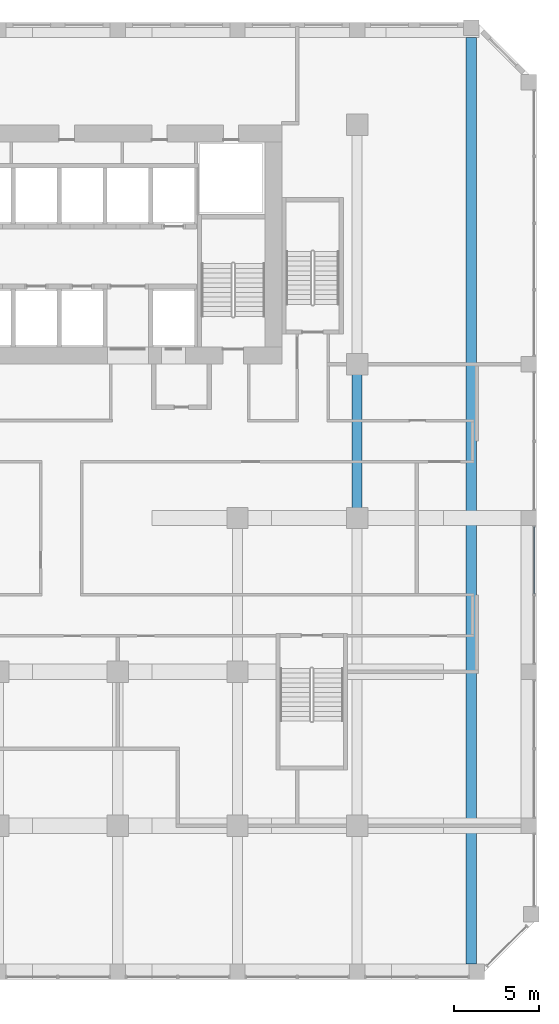
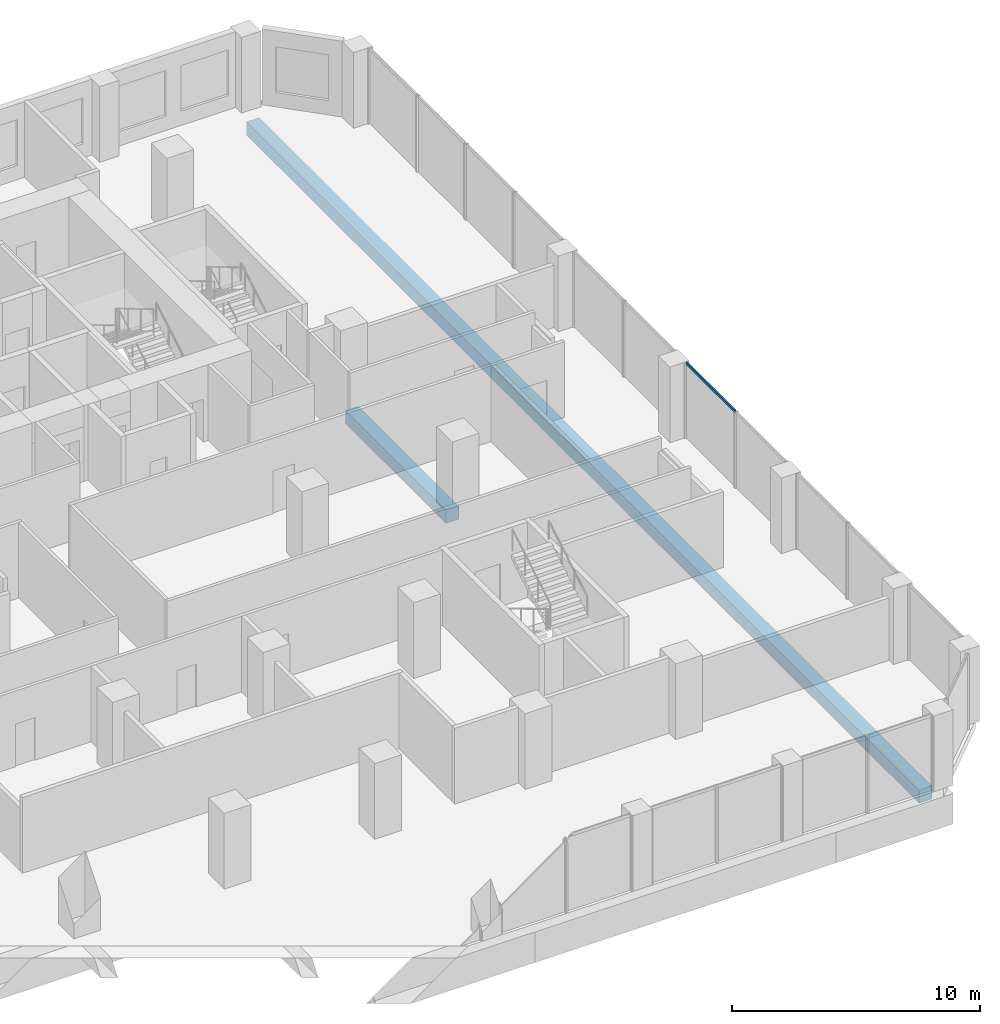
# One storey, part 7 of 20: 2 beams, 1 member, 1 element without a shape of its own.
"""IFC4 building model written with IfcOpenShell, lengths in metres."""

import ifcopenshell
import ifcopenshell.guid

model = None  # the IFC model being written
_history = None  # IfcOwnerHistory: only IFC2X3 demands one
_inside = {}  # id of a spatial element -> (the spatial element, [elements in it])
_under = {}  # id of a project, library or spatial element -> (it, [spatial elements below it])
_declared = {}  # id of a project -> (the project, [libraries it declares])
_typed = {}  # id of a type object -> (the type object, [elements of that type])
_made_of = {}  # id of a material, layer set ... -> (it, [elements and type objects made of it])


def new_model(schema):
    """Start an empty IFC model of exactly this schema.

    Asked for "IFC4X3", IfcOpenShell would pick the latest addendum, in which some entities
    have other attributes; the version numbers below select the first issue.
    IFC2X3 requires an IfcOwnerHistory on every rooted entity: one is made here for all.
    """
    global model, _history
    if schema == "IFC4X3":
        model = ifcopenshell.file(schema_version=(4, 3, 0, 0))
    else:
        model = ifcopenshell.file(schema=schema)
    _inside.clear()
    _under.clear()
    _declared.clear()
    _typed.clear()
    _made_of.clear()
    _history = None
    if model.schema == "IFC2X3":
        org = make("IfcOrganization", Name="unknown")
        user = make(
            "IfcPersonAndOrganization",
            ThePerson=make("IfcPerson", FamilyName="unknown"),
            TheOrganization=org,
        )
        app = make(
            "IfcApplication",
            ApplicationDeveloper=org,
            Version="unknown",
            ApplicationFullName="unknown",
            ApplicationIdentifier="unknown",
        )
        _history = make(
            "IfcOwnerHistory",
            OwningUser=user,
            OwningApplication=app,
            ChangeAction="ADDED",
            CreationDate=0,
        )
    return model


def make(cls, **values):
    """One entity of the class cls with the attributes given. An attribute that is None is left unset."""
    return model.create_entity(
        cls, **{name: value for name, value in values.items() if value is not None}
    )


def rooted(cls, **values):
    """An entity with a GlobalId (a new one), such as an element, a storey or a relation."""
    return make(cls, GlobalId=ifcopenshell.guid.new(), OwnerHistory=_history, **values)


def si_unit(unit_type, name, prefix=None):
    """IfcSIUnit, for example si_unit("LENGTHUNIT", "METRE", prefix="MILLI")."""
    return make("IfcSIUnit", UnitType=unit_type, Prefix=prefix, Name=name)


def assignment(units):
    """IfcUnitAssignment: the units of a project."""
    return None if units is None else make("IfcUnitAssignment", Units=units)


def point(xyz):
    """IfcCartesianPoint."""
    return None if xyz is None else make("IfcCartesianPoint", Coordinates=xyz)


def direction(xyz):
    """IfcDirection."""
    return None if xyz is None else make("IfcDirection", DirectionRatios=xyz)


def frame(location, z_axis=None, x_axis=None):
    """IfcAxis2Placement3D, a coordinate frame: its origin and axes. An axis left out is left unset."""
    return make(
        "IfcAxis2Placement3D",
        Location=point(location),
        Axis=direction(z_axis),
        RefDirection=direction(x_axis),
    )


def frame_2d(location, x_axis=None):
    """IfcAxis2Placement2D, a coordinate frame in the plane: its origin and x axis."""
    return make(
        "IfcAxis2Placement2D", Location=point(location), RefDirection=direction(x_axis)
    )


def origin():
    """The frame at (0, 0, 0) with its axes left unset."""
    return frame((0.0, 0.0, 0.0))


def origin_2d():
    """The frame at (0, 0) in the plane with its x axis left unset."""
    return frame_2d((0.0, 0.0))


def place(relative_to, where):
    """IfcLocalPlacement: puts the frame where relative to a parent placement (None: the world)."""
    return make(
        "IfcLocalPlacement", PlacementRelTo=relative_to, RelativePlacement=where
    )


def context(
    kind, dimensions, precision=None, world=None, true_north=None, identifier=None
):
    """IfcGeometricRepresentationContext, for example the 3D "Model" context."""
    return make(
        "IfcGeometricRepresentationContext",
        ContextIdentifier=identifier,
        ContextType=kind,
        CoordinateSpaceDimension=dimensions,
        Precision=precision,
        WorldCoordinateSystem=world,
        TrueNorth=true_north,
    )


def subcontext(parent, identifier, kind, view, scale=None):
    """IfcGeometricRepresentationSubContext, for example "Body" below "Model"."""
    return make(
        "IfcGeometricRepresentationSubContext",
        ContextIdentifier=identifier,
        ContextType=kind,
        ParentContext=parent,
        TargetScale=scale,
        TargetView=view,
    )


def project(units=None, contexts=None):
    """IfcProject with its units and contexts."""
    return rooted(
        "IfcProject",
        Name="project",
        RepresentationContexts=contexts,
        UnitsInContext=assignment(units),
    )


def spatial(cls, under=None, at=None, **own):
    """A site, building, storey or space (cls), placed at a placement, below another one or the project."""
    s = rooted(cls, ObjectPlacement=at, **own)
    if under is not None:
        _under.setdefault(under.id(), (under, []))[1].append(s)
    return s


def profile(cls, at=None, kind="AREA", **sizes):
    """A parametric profile (cls). Its sizes go by their IFC names, for example OverallWidth=200.0."""
    return make(cls, ProfileType=kind, Position=at, **sizes)


def rectangle(**sizes):
    """IfcRectangleProfileDef."""
    return profile("IfcRectangleProfileDef", **sizes)


def extrude(swept, where, along, depth):
    """IfcExtrudedAreaSolid: the profile swept, set in the frame where, extruded along a direction by depth."""
    return make(
        "IfcExtrudedAreaSolid",
        SweptArea=swept,
        Position=where,
        ExtrudedDirection=direction(along),
        Depth=depth,
    )


def shape(context_of_items, identifier, shape_type, items):
    """IfcShapeRepresentation: the items that make up one representation, for example the "Body"."""
    return make(
        "IfcShapeRepresentation",
        ContextOfItems=context_of_items,
        RepresentationIdentifier=identifier,
        RepresentationType=shape_type,
        Items=items,
    )


def source(mapping_origin, context_of_items, identifier, shape_type, items):
    """IfcRepresentationMap: a shape defined once, which mapped items show again and again."""
    return make(
        "IfcRepresentationMap",
        MappingOrigin=mapping_origin,
        MappedRepresentation=shape(context_of_items, identifier, shape_type, items),
    )


def transform(
    local_origin,
    x_axis=None,
    y_axis=None,
    z_axis=None,
    scale=None,
    scale2=None,
    scale3=None,
    uniform=True,
):
    """IfcCartesianTransformationOperator3D, or its non-uniform kind. x_axis, y_axis, z_axis: its Axis1, 2, 3."""
    if uniform:
        return make(
            "IfcCartesianTransformationOperator3D",
            Axis1=direction(x_axis),
            Axis2=direction(y_axis),
            LocalOrigin=point(local_origin),
            Scale=scale,
            Axis3=direction(z_axis),
        )
    return make(
        "IfcCartesianTransformationOperator3DnonUniform",
        Axis1=direction(x_axis),
        Axis2=direction(y_axis),
        LocalOrigin=point(local_origin),
        Scale=scale,
        Axis3=direction(z_axis),
        Scale2=scale2,
        Scale3=scale3,
    )


def mapped(mapping_source, mapping_target):
    """IfcMappedItem: shows the shape of a source again, moved by a transform."""
    return make(
        "IfcMappedItem", MappingSource=mapping_source, MappingTarget=mapping_target
    )


def material(Name=None, Category=None):
    """IfcMaterial."""
    return make("IfcMaterial", Name=Name, Category=Category)


def material_profile(
    of_material, cross_section, Name=None, Category=None, Priority=None
):
    """IfcMaterialProfile: a cross section and its material."""
    return make(
        "IfcMaterialProfile",
        Name=Name,
        Material=of_material,
        Profile=cross_section,
        Priority=Priority,
        Category=Category,
    )


def profile_set(profiles, Name=None, composite=None):
    """IfcMaterialProfileSet."""
    return make(
        "IfcMaterialProfileSet",
        Name=Name,
        MaterialProfiles=profiles,
        CompositeProfile=composite,
    )


def made_of(thing, what):
    """Note that an element or type object is made of a material, layer set ...; save() writes the relation."""
    if what is not None:
        _made_of.setdefault(what.id(), (what, []))[1].append(thing)
    return thing


def type_object(cls, material=None, **own):
    """A type object (cls), such as IfcWallType, which elements share."""
    return made_of(rooted(cls, **own), material)


def element(
    cls,
    number,
    at=None,
    inside=None,
    cuts=None,
    type_object=None,
    material=None,
    context=None,
    identifier="Body",
    shape_type=None,
    held_by="IfcProductDefinitionShape",
    body=None,
    shapes=None,
    **own,
):
    """One element of the class cls, such as IfcWall. Its Tag is "e" and its number.

    at: its placement. inside: the storey or other place that contains it. cuts: it is an
    opening in that element (IfcRelVoidsElement). A single representation is given by context,
    identifier, shape_type and body (its items); several are given by shapes. held_by: the class
    of the entity that holds the representations. save() writes the other relations.
    """
    e = rooted(cls, Tag="e%d" % number, ObjectPlacement=at, **own)
    if body is not None:
        shapes = [shape(context, identifier, shape_type, body)]
    if shapes is not None:
        e.Representation = make(held_by, Representations=shapes)
    if inside is not None:
        _inside.setdefault(inside.id(), (inside, []))[1].append(e)
    if cuts is not None:
        rooted(
            "IfcRelVoidsElement", RelatingBuildingElement=cuts, RelatedOpeningElement=e
        )
    if type_object is not None:
        _typed.setdefault(type_object.id(), (type_object, []))[1].append(e)
    return made_of(e, material)


def aggregate(whole, parts):
    """IfcRelAggregates: a whole, such as a stair, and the parts it consists of."""
    return rooted("IfcRelAggregates", RelatingObject=whole, RelatedObjects=parts)


def save(model, path):
    """Write the relations noted so far, then the file.

    IfcRelAggregates (storeys below a building ...), IfcRelContainedInSpatialStructure (elements
    in a storey), IfcRelDefinesByType, IfcRelAssociatesMaterial and IfcRelDeclares: one each for
    every whole, place, type object, material and project.
    """
    for whole, parts in _under.values():
        aggregate(whole, parts)
    for where, things in _inside.values():
        rooted(
            "IfcRelContainedInSpatialStructure",
            RelatedElements=things,
            RelatingStructure=where,
        )
    for kind, things in _typed.values():
        rooted("IfcRelDefinesByType", RelatedObjects=things, RelatingType=kind)
    for what, things in _made_of.values():
        rooted("IfcRelAssociatesMaterial", RelatedObjects=things, RelatingMaterial=what)
    for by, libraries in _declared.values():
        rooted("IfcRelDeclares", RelatingContext=by, RelatedDefinitions=libraries)
    model.write(path)


model = new_model("IFC4")

# Units and contexts
model_context = context("Model", 3, precision=1e-05, world=origin(), true_north=direction((0.0, 1.0)))
body_context = subcontext(model_context, "Body", "Model", "MODEL_VIEW")
ifc_project = project(units=[si_unit("LENGTHUNIT", "METRE"), si_unit("AREAUNIT", "SQUARE_METRE"), si_unit("VOLUMEUNIT", "CUBIC_METRE"), si_unit("PLANEANGLEUNIT", "RADIAN"), si_unit("MASSUNIT", "GRAM", prefix="KILO")], contexts=[model_context])

# Site, building, storey
site_placement = place(None, origin())
site = spatial("IfcSite", under=ifc_project, at=site_placement, CompositionType="ELEMENT")
building_placement = place(site_placement, origin())
building = spatial("IfcBuilding", under=site, at=building_placement, Name="Kilnfold Tower and Market Hall", CompositionType="ELEMENT")
storey_placement = place(building_placement, frame((0.0, 0.0, 63.199951171875)))
storey = spatial("IfcBuildingStorey", under=building, at=storey_placement, Name="L14", CompositionType="ELEMENT", Elevation=63.199951171875)

# Beams
ifc_material_1 = material(Name="Concrete C45", Category="concrete")
ifc_material_profile_1 = material_profile(ifc_material_1, rectangle(XDim=0.60009765625, YDim=0.64990234375, at=origin_2d()), Name="RC 600x650")
ifc_profile_set_1 = profile_set([ifc_material_profile_1], Name="Concrete C45")
beam_type = type_object("IfcBeamType", Name="BEAM 600X650 C45", PredefinedType="BEAM", material=ifc_profile_set_1)
shared_shape_1 = source(origin(), body_context, "Body", "SweptSolid", [
    extrude(rectangle(XDim=0.60009765625, YDim=0.64990234375, at=origin_2d()), origin(), (0.0, 0.0, 1.0), 54.2001953125),
])
beam_1_placement = place(storey_placement, frame((29.179931640625, -27.10009765625, -0.724853515625), z_axis=(0.0, 1.0, 0.0), x_axis=(-1.0, 0.0, 0.0)))
element("IfcBeam", 1, at=beam_1_placement, inside=storey, type_object=beam_type, Name="Beam BB650-B2.59", PredefinedType="BEAM", context=body_context, shape_type="MappedRepresentation", body=[
    mapped(shared_shape_1, transform((0.0, 0.0, 0.0))),
])
shared_shape_2 = source(origin(), body_context, "Body", "SweptSolid", [
    extrude(rectangle(XDim=0.60009765625, YDim=0.64990234375, at=origin_2d()), origin(), (0.0, 0.0, 1.0), 8.10009765625),
])
beam_2_placement = place(storey_placement, frame((22.5, -0.550048828125, -0.724853515625), z_axis=(0.0, 1.0, 0.0), x_axis=(-1.0, 0.0, 0.0)))
element("IfcBeam", 2, at=beam_2_placement, inside=storey, type_object=beam_type, Name="Beam BB650-B2.57", PredefinedType="BEAM", context=body_context, shape_type="MappedRepresentation", body=[
    mapped(shared_shape_2, transform((0.0, 0.0, 0.0))),
])

# Curtain wall, member
ifc_material_2 = material(Name="Aluminium and double glazing", Category="aluminium")
curtain_wall_type = type_object("IfcCurtainWallType", Name="CW OF1 VALLEY GLAZING", PredefinedType="NOTDEFINED", material=ifc_material_2)
curtain_wall_placement = place(storey_placement, origin())
curtain_wall = element("IfcCurtainWall", 3, at=curtain_wall_placement, inside=storey, type_object=curtain_wall_type, Name="Curtain wall CW1 L14 E", PredefinedType="NOTDEFINED")
ifc_material_3 = material(Name="Aluminium", Category="aluminium")
ifc_material_profile_2 = material_profile(ifc_material_3, rectangle(XDim=0.06005859375, YDim=0.139892578125, at=origin_2d()), Name="TRANSOM 60x140")
ifc_profile_set_2 = profile_set([ifc_material_profile_2], Name="Aluminium")
member_type = type_object("IfcMemberType", Name="TRANSOM 60X140", PredefinedType="USERDEFINED", material=ifc_profile_set_2)
shared_shape_3 = source(origin(), body_context, "Body", "SweptSolid", [
    extrude(rectangle(XDim=0.06005859375, YDim=0.139892578125, at=origin_2d()), origin(), (0.0, 0.0, 1.0), 3.929931640625),
])
member_placement = place(storey_placement, frame((32.85009765625, -5.43994140625, 3.68994140625), z_axis=(0.0, 1.0, 0.0), x_axis=(-1.0, 0.0, 0.0)))
member = element("IfcMember", 4, at=member_placement, type_object=member_type, Name="CW1 transom 1.2", ObjectType="TRANSOM", PredefinedType="USERDEFINED", context=body_context, shape_type="MappedRepresentation", body=[
    mapped(shared_shape_3, transform((0.0, 0.0, 0.0))),
])
aggregate(curtain_wall, [member])

save(model, "model.ifc")
